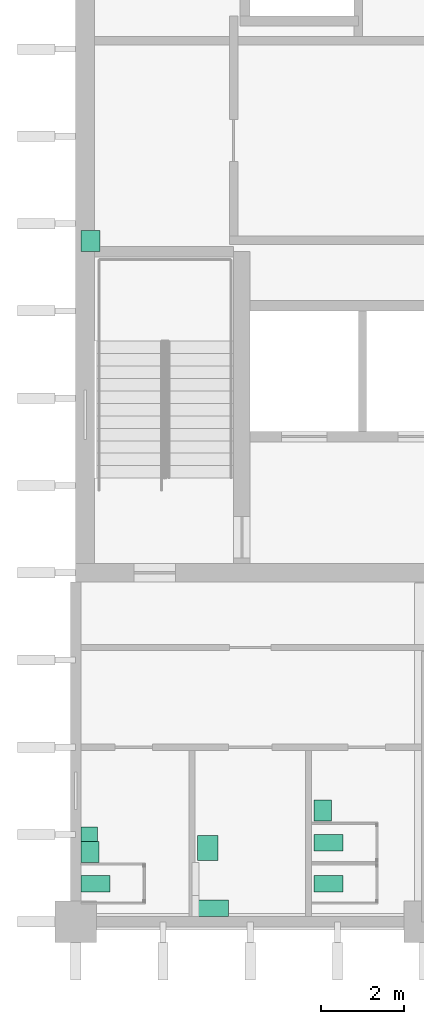
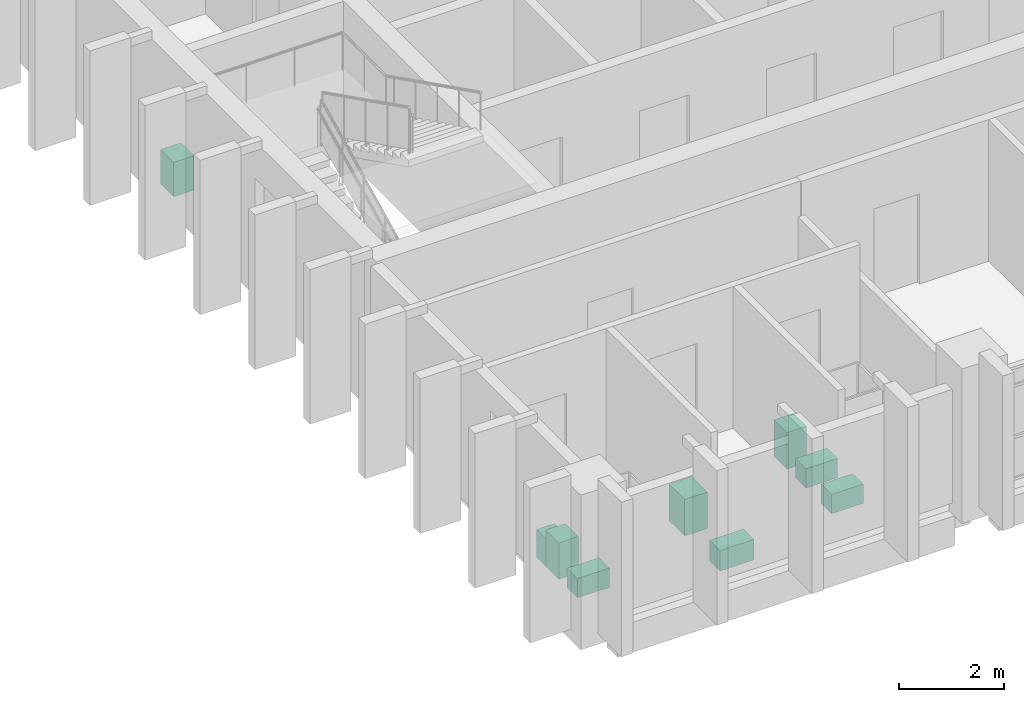
# One storey, part 11 of 11: 9 sanitary terminals.
"""IFC4 building model written with IfcOpenShell, lengths in metres."""

from ifc_helpers import new_model, si_unit, direction, frame, origin, origin_2d, place, context, subcontext, project, spatial, rectangle, extrude, material, type_object, element, save


model = new_model("IFC4")

# Units and contexts
model_context = context("Model", 3, precision=1e-05, world=origin(), true_north=direction((0.0, 1.0)))
body_context = subcontext(model_context, "Body", "Model", "MODEL_VIEW")
ifc_project = project(units=[si_unit("LENGTHUNIT", "METRE"), si_unit("AREAUNIT", "SQUARE_METRE"), si_unit("VOLUMEUNIT", "CUBIC_METRE"), si_unit("PLANEANGLEUNIT", "RADIAN"), si_unit("MASSUNIT", "GRAM", prefix="KILO")], contexts=[model_context])

# Site, building, storey
site_placement = place(None, origin())
site = spatial("IfcSite", under=ifc_project, at=site_placement, CompositionType="ELEMENT")
building_placement = place(site_placement, origin())
building = spatial("IfcBuilding", under=site, at=building_placement, Name="Rulbaag Community and Learning Centre", CompositionType="ELEMENT")
storey_placement = place(building_placement, frame((0.0, 0.0, 18.0)))
storey = spatial("IfcBuildingStorey", under=building, at=storey_placement, Name="L04", CompositionType="ELEMENT", Elevation=18.0)

# Sanitary terminals
ifc_material_1 = material(Name="Vitreous china", Category="ceramic")
sanitary_terminal_type_1 = type_object("IfcSanitaryTerminalType", Name="BS-500", PredefinedType="WASHHANDBASIN", material=ifc_material_1)
for number, where, z_axis, x_axis, name in (
    (1, (143.14501953125, 85.679931640625, 0.0), (0.0, 0.0, 1.0), (1.0, 0.0, 0.0), "Basin 75"),
    (2, (148.7451171875, 86.679931640625, 0.0), (0.0, 0.0, 1.0), (1.0, 0.0, 0.0), "Basin 76"),
):
    element("IfcSanitaryTerminal", number, at=place(storey_placement, frame(where, z_axis=z_axis, x_axis=x_axis)), inside=storey, type_object=sanitary_terminal_type_1, Name=name, PredefinedType="WASHHANDBASIN", context=body_context, shape_type="SweptSolid", body=[
        extrude(rectangle(XDim=0.429931640625, YDim=0.5, at=origin_2d()), origin(), (0.0, 0.0, 1.0), 0.85009765625),
    ])
sanitary_terminal_type_2 = type_object("IfcSanitaryTerminalType", Name="BS-AC-600", PredefinedType="WASHHANDBASIN", material=ifc_material_1)
sanitary_terminal_1_placement = place(storey_placement, frame((145.97998046875, 85.780029296875, 0.0), z_axis=(0.0, 0.0, 1.0), x_axis=(1.0, 0.0, 0.0)))
element("IfcSanitaryTerminal", 3, at=sanitary_terminal_1_placement, inside=storey, type_object=sanitary_terminal_type_2, Name="Basin 77", PredefinedType="WASHHANDBASIN", context=body_context, shape_type="SweptSolid", body=[
    extrude(rectangle(XDim=0.5, YDim=0.60009765625, at=origin_2d()), origin(), (0.0, 0.0, 1.0), 0.85009765625),
])
ifc_material_2 = material(Name="Stainless steel", Category="steel")
sanitary_terminal_type_3 = type_object("IfcSanitaryTerminalType", Name="SK-CL-500", PredefinedType="SINK", material=ifc_material_2)
sanitary_terminal_2_placement = place(storey_placement, frame((143.155029296875, 100.3798828125, 0.0), z_axis=(0.0, 0.0, 1.0), x_axis=(1.0, 0.0, 0.0)))
element("IfcSanitaryTerminal", 4, at=sanitary_terminal_2_placement, inside=storey, type_object=sanitary_terminal_type_3, Name="Sink 13", PredefinedType="SINK", context=body_context, shape_type="SweptSolid", body=[
    extrude(rectangle(XDim=0.449951171875, YDim=0.5, at=origin_2d()), origin(), (0.0, 0.0, 1.0), 0.800048828125),
])
sanitary_terminal_type_4 = type_object("IfcSanitaryTerminalType", Name="UR-350", PredefinedType="URINAL", material=ifc_material_1)
sanitary_terminal_3_placement = place(storey_placement, frame((143.1298828125, 86.10498046875, 0.0), z_axis=(0.0, 0.0, 1.0), x_axis=(1.0, 0.0, 0.0)))
element("IfcSanitaryTerminal", 5, at=sanitary_terminal_3_placement, inside=storey, type_object=sanitary_terminal_type_4, Name="Urinal 154", PredefinedType="URINAL", context=body_context, shape_type="SweptSolid", body=[
    extrude(rectangle(XDim=0.39990234375, YDim=0.35009765625, at=origin_2d()), origin(), (0.0, 0.0, 1.0), 0.64990234375),
])
sanitary_terminal_type_5 = type_object("IfcSanitaryTerminalType", Name="WC-400", PredefinedType="TOILETPAN", material=ifc_material_1)
for number, where, z_axis, x_axis, name in (
    (6, (143.280029296875, 84.919921875, 0.0), (0.0, 0.0, 1.0), (1.0, 0.0, 0.0), "WC 132"),
    (7, (148.8798828125, 84.919921875, 0.0), (0.0, 0.0, 1.0), (1.0, 0.0, 0.0), "WC 133"),
    (8, (148.8798828125, 85.89990234375, 0.0), (0.0, 0.0, 1.0), (1.0, 0.0, 0.0), "WC 134"),
):
    element("IfcSanitaryTerminal", number, at=place(storey_placement, frame(where, z_axis=z_axis, x_axis=x_axis)), inside=storey, type_object=sanitary_terminal_type_5, Name=name, PredefinedType="TOILETPAN", context=body_context, shape_type="SweptSolid", body=[
        extrude(rectangle(XDim=0.699951171875, YDim=0.39990234375, at=origin_2d()), origin(), (0.0, 0.0, 1.0), 0.449951171875),
    ])
sanitary_terminal_type_6 = type_object("IfcSanitaryTerminalType", Name="WC-AC-480", PredefinedType="TOILETPAN", material=ifc_material_1)
sanitary_terminal_4_placement = place(storey_placement, frame((146.10498046875, 84.330078125, 0.0), z_axis=(0.0, 0.0, 1.0), x_axis=(1.0, 0.0, 0.0)))
element("IfcSanitaryTerminal", 9, at=sanitary_terminal_4_placement, inside=storey, type_object=sanitary_terminal_type_6, Name="WC 135", PredefinedType="TOILETPAN", context=body_context, shape_type="SweptSolid", body=[
    extrude(rectangle(XDim=0.75, YDim=0.39990234375, at=origin_2d()), origin(), (0.0, 0.0, 1.0), 0.47998046875),
])

save(model, "model.ifc")
